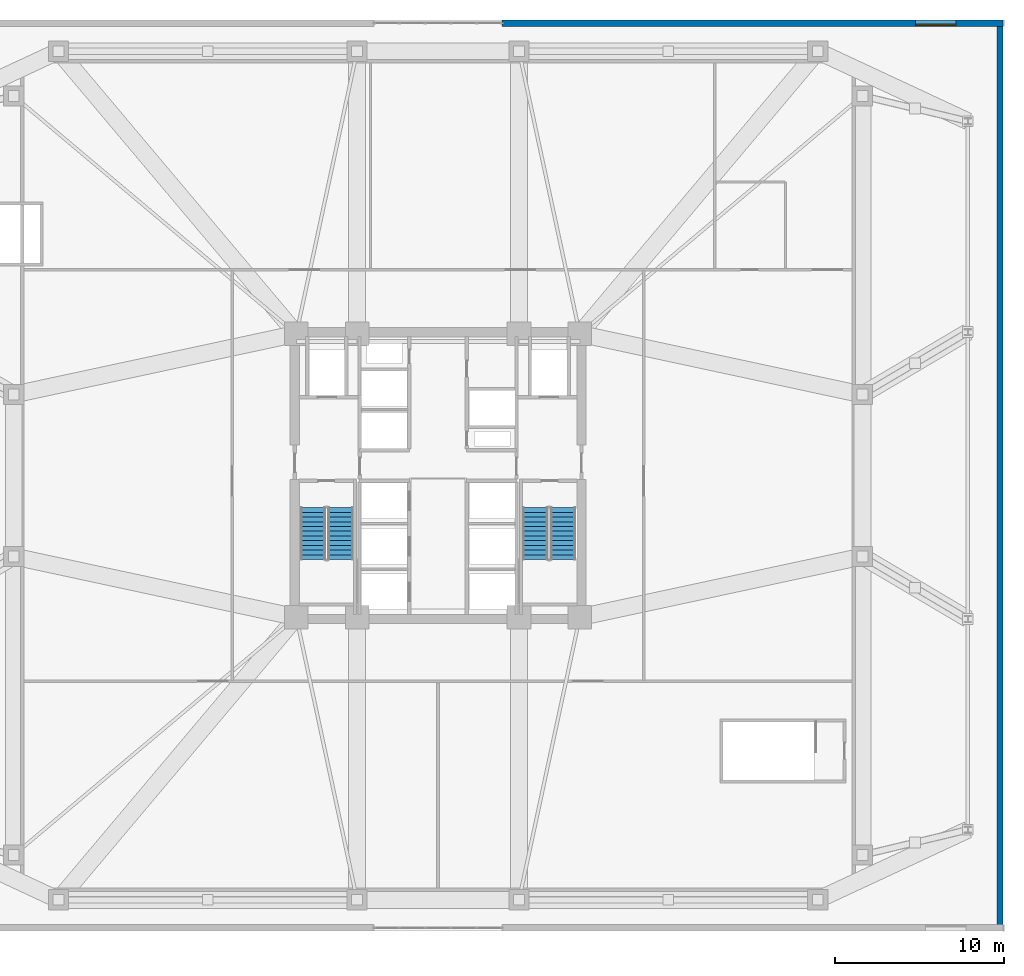
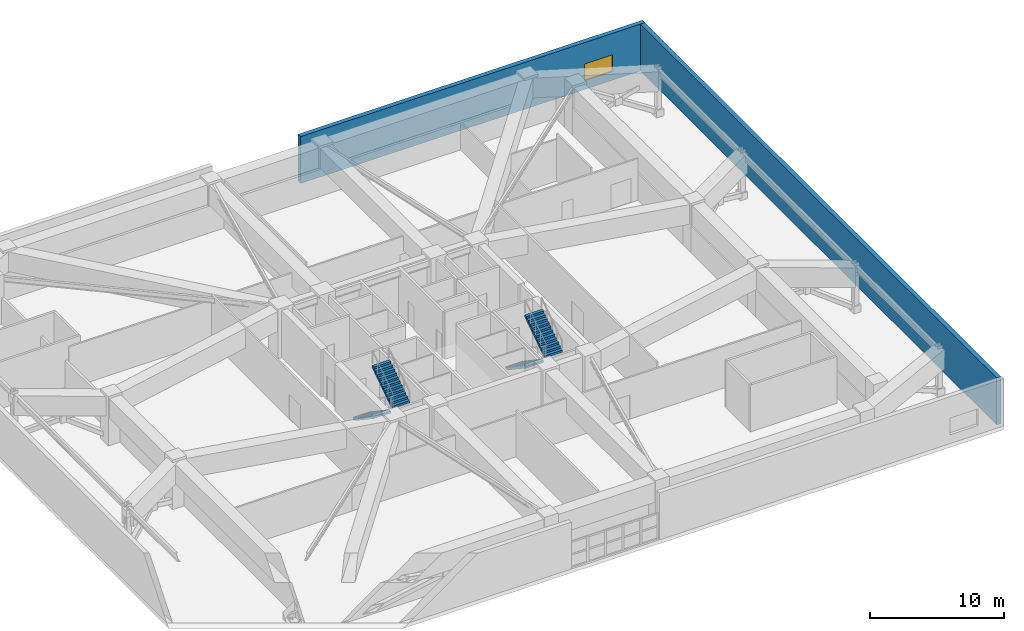
# One storey, part 13 of 19: 4 stair flights, 2 walls, 1 window, 1 opening, 2 elements without a shape of their own.
"""IFC4 building model written with IfcOpenShell, lengths in metres."""

from ifc_helpers import new_model, si_unit, direction, frame, frame_2d, origin, place, context, subcontext, project, spatial, polyline, rectangle, outline, extrude, material, layer, layer_set, type_object, element, fill, aggregate, save


model = new_model("IFC4")

# Units and contexts
model_context = context("Model", 3, precision=1e-05, world=origin(), true_north=direction((0.0, 1.0)))
body_context = subcontext(model_context, "Body", "Model", "MODEL_VIEW")
ifc_project = project(units=[si_unit("LENGTHUNIT", "METRE"), si_unit("AREAUNIT", "SQUARE_METRE"), si_unit("VOLUMEUNIT", "CUBIC_METRE"), si_unit("PLANEANGLEUNIT", "RADIAN"), si_unit("MASSUNIT", "GRAM", prefix="KILO")], contexts=[model_context])

# Site, building, storey
site_placement = place(None, origin())
site = spatial("IfcSite", under=ifc_project, at=site_placement, CompositionType="ELEMENT")
building_placement = place(site_placement, origin())
building = spatial("IfcBuilding", under=site, at=building_placement, Name="Cairnveth Concourse Tower", CompositionType="ELEMENT")
storey_placement = place(building_placement, frame((0.0, 0.0, 19.0)))
storey = spatial("IfcBuildingStorey", under=building, at=storey_placement, Name="L04", CompositionType="ELEMENT", Elevation=19.0)

# Wall, opening, window
ifc_material_1 = material(Name="Hawthorn Red-Ochre Fired Clay Brick Masonry", Category="masonry")
ifc_layer = layer(ifc_material_1, 0.3798828125)
ifc_layer_set = layer_set([ifc_layer], Name="Hawthorn Red-Ochre Fired Clay Brick Masonry")
wall_type = type_object("IfcWallType", Name="UPPER PODIUM BRICK WALL 380", PredefinedType="SOLIDWALL", material=ifc_layer_set)
wall_1_placement = place(storey_placement, frame((55.800048828125, 65.81005859375, 0.0), z_axis=(0.0, 0.0, 1.0), x_axis=(1.0, 0.0, 0.0)))
wall_1 = element("IfcWall", 1, at=wall_1_placement, inside=storey, type_object=wall_type, Name="Exterior Wall EW-L04-NE", PredefinedType="SOLIDWALL", context=body_context, shape_type="SweptSolid", body=[
    extrude(rectangle(XDim=29.699951171875, YDim=0.3798828125, at=frame_2d((14.85009765625, 0.0))), origin(), (0.0, 0.0, 1.0), 4.280029296875),
])
opening_placement = place(wall_1_placement, frame((24.5, 0.0, 0.800048828125)))
opening = element("IfcOpeningElement", 2, at=opening_placement, cuts=wall_1, Name="Opening W11", PredefinedType="OPENING", context=body_context, shape_type="SweptSolid", body=[
    extrude(rectangle(XDim=2.39990234375, YDim=1.530029296875, at=frame_2d((1.199951171875, 0.76513671875))), frame((0.0, 0.199951171875, 0.0), z_axis=(0.0, -1.0, 0.0), x_axis=(1.0, 0.0, 0.0)), (0.0, 0.0, 1.0), 0.39990234375),
])
ifc_material_2 = material(Name="Double Glazed Low-E Clear Glass", Category="glass")
window_type = type_object("IfcWindowType", Name="DEEP-SET PODIUM CLERESTORY WINDOW 2400X1600", PartitioningType="DOUBLE_PANEL_VERTICAL", PredefinedType="WINDOW", material=ifc_material_2)
window_placement = place(opening_placement, origin())
window = element("IfcWindow", 3, at=window_placement, inside=storey, type_object=window_type, Name="WIN-L04-NE-1", OverallHeight=1.530029296875, OverallWidth=2.39990234375, PartitioningType="SINGLE_PANEL", PredefinedType="WINDOW", context=body_context, shape_type="SweptSolid", body=[
    extrude(rectangle(XDim=2.39990234375, YDim=1.530029296875, at=frame_2d((1.199951171875, 0.76513671875))), frame((0.0, -0.050048828125, 0.0), z_axis=(0.0, -1.0, 0.0), x_axis=(1.0, 0.0, 0.0)), (0.0, 0.0, 1.0), 0.06005859375),
])
fill(opening, window)

# Wall
wall_2_placement = place(storey_placement, frame((85.31005859375, 65.635009765625, 0.0), z_axis=(0.0, 0.0, 1.0), x_axis=(0.0, -1.0, 0.0)))
element("IfcWall", 4, at=wall_2_placement, inside=storey, type_object=wall_type, Name="Exterior Wall EW-L04-E", PredefinedType="SOLIDWALL", context=body_context, shape_type="SweptSolid", body=[
    extrude(rectangle(XDim=53.27001953125, YDim=0.3798828125, at=frame_2d((26.635009765625, 0.0))), origin(), (0.0, 0.0, 1.0), 4.280029296875),
])

# Stair, stair flights
ifc_material_3 = material(Name="Precast concrete N50 (50 MPa)", Category="concrete")
stair_type = type_object("IfcStairType", Name="CORE DOG-LEG FIRE STAIR 1500", PredefinedType="HALF_TURN_STAIR", material=ifc_material_3)
stair_1_placement = place(storey_placement, origin())
stair_1 = element("IfcStair", 5, at=stair_1_placement, inside=storey, type_object=stair_type, Name="L04 Fire-Isolated Stair ST-1", PredefinedType="HALF_TURN_STAIR")
stair_flight_type = type_object("IfcStairFlightType", Name="PRECAST CONCRETE STAIR FLIGHT 1500", PredefinedType="STRAIGHT", material=ifc_material_3)
stair_flight_1_placement = place(storey_placement, frame((44.590087890625, 37.10009765625, 0.0), z_axis=(0.0, 0.0, 1.0), x_axis=(0.0, -1.0, 0.0)))
stair_flight_1 = element("IfcStairFlight", 6, at=stair_flight_1_placement, type_object=stair_flight_type, Name="ST-1 flight 1", NumberOfRisers=12, NumberOfTreads=11, PredefinedType="STRAIGHT", RiserHeight=0.1875, TreadLength=0.28, context=body_context, shape_type="SweptSolid", body=[
    extrude(outline(polyline([(0.0, 0.0), (0.0, 0.1875), (0.280029296875, 0.1875), (0.280029296875, 0.375), (0.56005859375, 0.375), (0.56005859375, 0.5625), (0.840087890625, 0.5625), (0.840087890625, 0.75), (1.1201171875, 0.75), (1.1201171875, 0.9375), (1.39990234375, 0.9375), (1.39990234375, 1.125), (1.679931640625, 1.125), (1.679931640625, 1.3125), (1.9599609375, 1.3125), (1.9599609375, 1.5), (2.239990234375, 1.5), (2.239990234375, 1.6875), (2.52001953125, 1.6875), (2.52001953125, 1.875), (2.800048828125, 1.875), (2.800048828125, 2.0625), (3.080078125, 2.0625), (3.080078125, 2.25), (3.080078125, 1.882080078125), (0.26953125, 0.0), (0.0, 0.0)])), frame((0.0, 0.75, 0.0), z_axis=(0.0, -1.0, 0.0), x_axis=(1.0, 0.0, 0.0)), (0.0, 0.0, 1.0), 1.5),
])
stair_flight_2_placement = place(storey_placement, frame((46.22998046875, 34.02001953125, 2.25), z_axis=(0.0, 0.0, 1.0), x_axis=(0.0, 1.0, 0.0)))
stair_flight_2 = element("IfcStairFlight", 7, at=stair_flight_2_placement, type_object=stair_flight_type, Name="ST-1 flight 2", NumberOfRisers=12, NumberOfTreads=11, PredefinedType="STRAIGHT", RiserHeight=0.1875, TreadLength=0.28, context=body_context, shape_type="SweptSolid", body=[
    extrude(outline(polyline([(0.0, 0.0), (0.0, 0.1875), (0.280029296875, 0.1875), (0.280029296875, 0.375), (0.56005859375, 0.375), (0.56005859375, 0.5625), (0.840087890625, 0.5625), (0.840087890625, 0.75), (1.1201171875, 0.75), (1.1201171875, 0.9375), (1.39990234375, 0.9375), (1.39990234375, 1.125), (1.679931640625, 1.125), (1.679931640625, 1.3125), (1.9599609375, 1.3125), (1.9599609375, 1.5), (2.239990234375, 1.5), (2.239990234375, 1.6875), (2.52001953125, 1.6875), (2.52001953125, 1.875), (2.800048828125, 1.875), (2.800048828125, 2.0625), (3.080078125, 2.0625), (3.080078125, 2.25), (3.080078125, 1.882080078125), (0.26953125, 0.0), (0.0, 0.0)])), frame((0.0, 0.75, 0.0), z_axis=(0.0, -1.0, 0.0), x_axis=(1.0, 0.0, 0.0)), (0.0, 0.0, 1.0), 1.5),
])
aggregate(stair_1, [stair_flight_1, stair_flight_2])

stair_2_placement = place(storey_placement, origin())
stair_2 = element("IfcStair", 8, at=stair_2_placement, inside=storey, type_object=stair_type, Name="L04 Fire-Isolated Stair ST-2", PredefinedType="HALF_TURN_STAIR")
stair_flight_3_placement = place(storey_placement, frame((57.77001953125, 37.10009765625, 0.0), z_axis=(0.0, 0.0, 1.0), x_axis=(0.0, -1.0, 0.0)))
stair_flight_3 = element("IfcStairFlight", 9, at=stair_flight_3_placement, type_object=stair_flight_type, Name="ST-2 flight 1", NumberOfRisers=12, NumberOfTreads=11, PredefinedType="STRAIGHT", RiserHeight=0.1875, TreadLength=0.28, context=body_context, shape_type="SweptSolid", body=[
    extrude(outline(polyline([(0.0, 0.0), (0.0, 0.1875), (0.280029296875, 0.1875), (0.280029296875, 0.375), (0.56005859375, 0.375), (0.56005859375, 0.5625), (0.840087890625, 0.5625), (0.840087890625, 0.75), (1.1201171875, 0.75), (1.1201171875, 0.9375), (1.39990234375, 0.9375), (1.39990234375, 1.125), (1.679931640625, 1.125), (1.679931640625, 1.3125), (1.9599609375, 1.3125), (1.9599609375, 1.5), (2.239990234375, 1.5), (2.239990234375, 1.6875), (2.52001953125, 1.6875), (2.52001953125, 1.875), (2.800048828125, 1.875), (2.800048828125, 2.0625), (3.080078125, 2.0625), (3.080078125, 2.25), (3.080078125, 1.882080078125), (0.26953125, 0.0), (0.0, 0.0)])), frame((0.0, 0.75, 0.0), z_axis=(0.0, -1.0, 0.0), x_axis=(1.0, 0.0, 0.0)), (0.0, 0.0, 1.0), 1.5),
])
stair_flight_4_placement = place(storey_placement, frame((59.409912109375, 34.02001953125, 2.25), z_axis=(0.0, 0.0, 1.0), x_axis=(0.0, 1.0, 0.0)))
stair_flight_4 = element("IfcStairFlight", 10, at=stair_flight_4_placement, type_object=stair_flight_type, Name="ST-2 flight 2", NumberOfRisers=12, NumberOfTreads=11, PredefinedType="STRAIGHT", RiserHeight=0.1875, TreadLength=0.28, context=body_context, shape_type="SweptSolid", body=[
    extrude(outline(polyline([(0.0, 0.0), (0.0, 0.1875), (0.280029296875, 0.1875), (0.280029296875, 0.375), (0.56005859375, 0.375), (0.56005859375, 0.5625), (0.840087890625, 0.5625), (0.840087890625, 0.75), (1.1201171875, 0.75), (1.1201171875, 0.9375), (1.39990234375, 0.9375), (1.39990234375, 1.125), (1.679931640625, 1.125), (1.679931640625, 1.3125), (1.9599609375, 1.3125), (1.9599609375, 1.5), (2.239990234375, 1.5), (2.239990234375, 1.6875), (2.52001953125, 1.6875), (2.52001953125, 1.875), (2.800048828125, 1.875), (2.800048828125, 2.0625), (3.080078125, 2.0625), (3.080078125, 2.25), (3.080078125, 1.882080078125), (0.26953125, 0.0), (0.0, 0.0)])), frame((0.0, 0.75, 0.0), z_axis=(0.0, -1.0, 0.0), x_axis=(1.0, 0.0, 0.0)), (0.0, 0.0, 1.0), 1.5),
])
aggregate(stair_2, [stair_flight_3, stair_flight_4])

save(model, "model.ifc")
